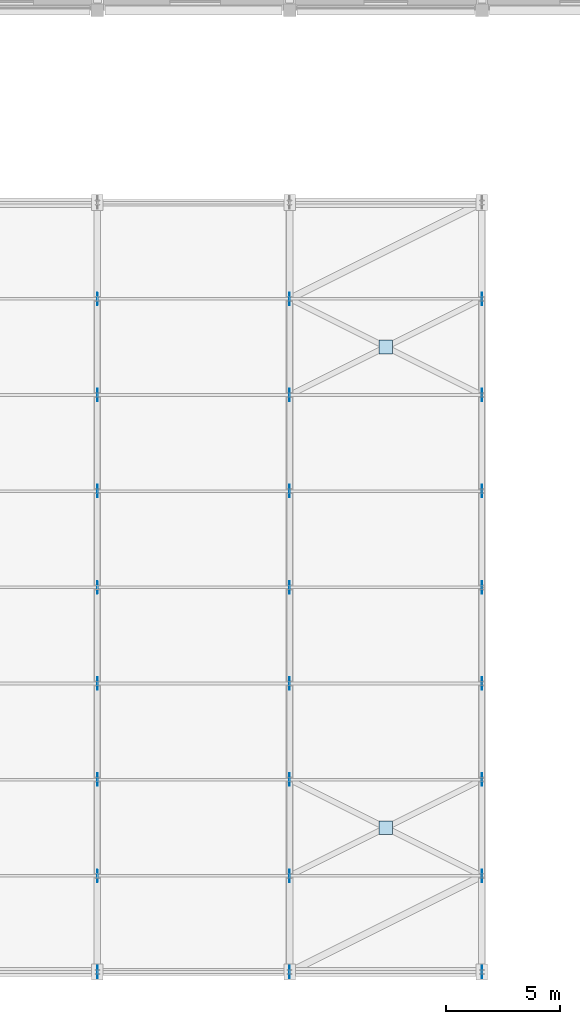
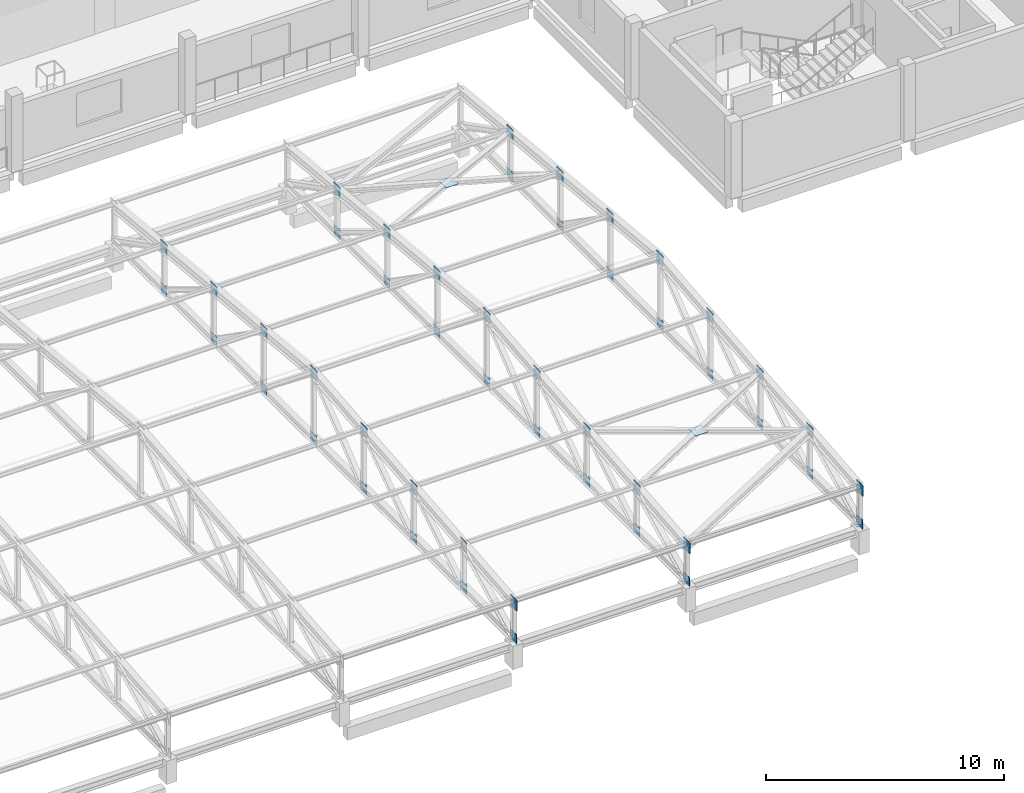
# One storey, part 56 of 74: 50 plates.
"""IFC4 building model written with IfcOpenShell, lengths in metres."""

from ifc_helpers import new_model, si_unit, derived_unit, direction, frame, origin, origin_2d, place, context, subcontext, project, spatial, rectangle, extrude, material, layer, layer_set, type_object, element, save


model = new_model("IFC4")

# Units and contexts
model_context = context("Model", 3, precision=1e-05, world=origin(), true_north=direction((0.0, 1.0)))
body_context = subcontext(model_context, "Body", "Model", "MODEL_VIEW")
ifc_project = project(units=[si_unit("LENGTHUNIT", "METRE"), si_unit("AREAUNIT", "SQUARE_METRE"), si_unit("VOLUMEUNIT", "CUBIC_METRE"), si_unit("PLANEANGLEUNIT", "RADIAN"), si_unit("MASSUNIT", "GRAM", prefix="KILO"), derived_unit("THERMALTRANSMITTANCEUNIT", [(si_unit("POWERUNIT", "WATT"), 1), (si_unit("LENGTHUNIT", "METRE"), -2), (si_unit("THERMODYNAMICTEMPERATUREUNIT", "KELVIN"), -1)])], contexts=[model_context])

# Site, building, storey
site_placement = place(None, origin())
site = spatial("IfcSite", under=ifc_project, at=site_placement, CompositionType="ELEMENT")
building_placement = place(site_placement, origin())
building = spatial("IfcBuilding", under=site, at=building_placement, Name="Elbkamm Science Centre", CompositionType="ELEMENT")
storey_placement = place(building_placement, frame((0.0, 0.0, 14.39990234375)))
storey = spatial("IfcBuildingStorey", under=building, at=storey_placement, Name="L03", CompositionType="ELEMENT", Elevation=14.39990234375)

# Plates
ifc_material = material(Name="Steel EN 10025-2 S355J2", Category="steel")
ifc_layer_1 = layer(ifc_material, 0.01611328125)
ifc_layer_set_1 = layer_set([ifc_layer_1], Name="Steel EN 10025-2 S355J2")
plate_type_1 = type_object("IfcPlateType", Name="PLT-SHEET-16", PredefinedType="SHEET", material=ifc_layer_set_1)
for number, where, z_axis, x_axis, name in (
    (1, (100.800048828125, 4.199951171875, 3.27880859375), (0.0, 0.0, 1.0), (1.0, 0.0, 0.0), "Theatre Truss 05 Top Node Gusset Plate 2"),
    (2, (100.800048828125, 16.800048828125, 4.47021484375), (0.0, 0.0, 1.0), (1.0, 0.0, 0.0), "Theatre Truss 05 Top Node Gusset Plate 5"),
    (3, (100.800048828125, 29.39990234375, 3.27880859375), (0.0, 0.0, 1.0), (1.0, 0.0, 0.0), "Theatre Truss 05 Top Node Gusset Plate 8"),
    (4, (109.199951171875, 0.0, 2.8818359375), (0.0, 0.0, 1.0), (1.0, 0.0, 0.0), "Theatre Truss 06 Top Node Gusset Plate 1"),
    (5, (109.199951171875, 12.60009765625, 4.0732421875), (0.0, 0.0, 1.0), (1.0, 0.0, 0.0), "Theatre Truss 06 Top Node Gusset Plate 4"),
    (6, (109.199951171875, 25.199951171875, 3.67626953125), (0.0, 0.0, 1.0), (1.0, 0.0, 0.0), "Theatre Truss 06 Top Node Gusset Plate 7"),
    (7, (117.60009765625, 8.39990234375, 3.67626953125), (0.0, 0.0, 1.0), (1.0, 0.0, 0.0), "Theatre Truss 07 Top Node Gusset Plate 3"),
    (8, (117.60009765625, 21.0, 4.0732421875), (0.0, 0.0, 1.0), (1.0, 0.0, 0.0), "Theatre Truss 07 Top Node Gusset Plate 6"),
):
    element("IfcPlate", number, at=place(storey_placement, frame(where, z_axis=z_axis, x_axis=x_axis)), inside=storey, type_object=plate_type_1, Name=name, PredefinedType="SHEET", context=body_context, shape_type="SweptSolid", body=[
        extrude(rectangle(XDim=0.01611328125, YDim=0.550048828125, at=origin_2d()), origin(), (0.0, 0.0, 1.0), 0.550048828125),
    ])
ifc_layer_2 = layer(ifc_material, 0.02001953125)
ifc_layer_set_2 = layer_set([ifc_layer_2], Name="Steel EN 10025-2 S355J2")
plate_type_2 = type_object("IfcPlateType", Name="PLT-SHEET-20", PredefinedType="SHEET", material=ifc_layer_set_2)
plate_1_placement = place(storey_placement, frame((100.800048828125, 4.199951171875, 1.150146484375), z_axis=(0.0, 0.0, 1.0), x_axis=(1.0, 0.0, 0.0)))
element("IfcPlate", 9, at=plate_1_placement, inside=storey, type_object=plate_type_2, Name="Theatre Truss 05 Bottom Node Gusset Plate 2", PredefinedType="SHEET", context=body_context, shape_type="SweptSolid", body=[
    extrude(rectangle(XDim=0.02001953125, YDim=0.5, at=origin_2d()), origin(), (0.0, 0.0, 1.0), 0.5),
])
plate_2_placement = place(storey_placement, frame((100.800048828125, 8.39990234375, 3.67626953125), z_axis=(0.0, 0.0, 1.0), x_axis=(1.0, 0.0, 0.0)))
element("IfcPlate", 10, at=plate_2_placement, inside=storey, type_object=plate_type_2, Name="Theatre Truss 05 Top Node Gusset Plate 3", PredefinedType="SHEET", context=body_context, shape_type="SweptSolid", body=[
    extrude(rectangle(XDim=0.02001953125, YDim=0.550048828125, at=origin_2d()), origin(), (0.0, 0.0, 1.0), 0.550048828125),
])
for number, where, z_axis, x_axis, name in (
    (11, (100.800048828125, 8.39990234375, 1.150146484375), (0.0, 0.0, 1.0), (1.0, 0.0, 0.0), "Theatre Truss 05 Bottom Node Gusset Plate 3"),
    (12, (100.800048828125, 12.60009765625, 1.150146484375), (0.0, 0.0, 1.0), (1.0, 0.0, 0.0), "Theatre Truss 05 Bottom Node Gusset Plate 4"),
    (13, (100.800048828125, 16.800048828125, 1.150146484375), (0.0, 0.0, 1.0), (1.0, 0.0, 0.0), "Theatre Truss 05 Bottom Node Gusset Plate 5"),
):
    element("IfcPlate", number, at=place(storey_placement, frame(where, z_axis=z_axis, x_axis=x_axis)), inside=storey, type_object=plate_type_2, Name=name, PredefinedType="SHEET", context=body_context, shape_type="SweptSolid", body=[
        extrude(rectangle(XDim=0.02001953125, YDim=0.5, at=origin_2d()), origin(), (0.0, 0.0, 1.0), 0.5),
    ])
plate_3_placement = place(storey_placement, frame((100.800048828125, 21.0, 4.0732421875), z_axis=(0.0, 0.0, 1.0), x_axis=(1.0, 0.0, 0.0)))
element("IfcPlate", 14, at=plate_3_placement, inside=storey, type_object=plate_type_2, Name="Theatre Truss 05 Top Node Gusset Plate 6", PredefinedType="SHEET", context=body_context, shape_type="SweptSolid", body=[
    extrude(rectangle(XDim=0.02001953125, YDim=0.550048828125, at=origin_2d()), origin(), (0.0, 0.0, 1.0), 0.550048828125),
])
for number, where, z_axis, x_axis, name in (
    (15, (100.800048828125, 21.0, 1.150146484375), (0.0, 0.0, 1.0), (1.0, 0.0, 0.0), "Theatre Truss 05 Bottom Node Gusset Plate 6"),
    (16, (100.800048828125, 25.199951171875, 1.150146484375), (0.0, 0.0, 1.0), (1.0, 0.0, 0.0), "Theatre Truss 05 Bottom Node Gusset Plate 7"),
    (17, (100.800048828125, 29.39990234375, 1.150146484375), (0.0, 0.0, 1.0), (1.0, 0.0, 0.0), "Theatre Truss 05 Bottom Node Gusset Plate 8"),
):
    element("IfcPlate", number, at=place(storey_placement, frame(where, z_axis=z_axis, x_axis=x_axis)), inside=storey, type_object=plate_type_2, Name=name, PredefinedType="SHEET", context=body_context, shape_type="SweptSolid", body=[
        extrude(rectangle(XDim=0.02001953125, YDim=0.5, at=origin_2d()), origin(), (0.0, 0.0, 1.0), 0.5),
    ])
plate_4_placement = place(storey_placement, frame((109.199951171875, 4.199951171875, 3.27880859375), z_axis=(0.0, 0.0, 1.0), x_axis=(1.0, 0.0, 0.0)))
element("IfcPlate", 18, at=plate_4_placement, inside=storey, type_object=plate_type_2, Name="Theatre Truss 06 Top Node Gusset Plate 2", PredefinedType="SHEET", context=body_context, shape_type="SweptSolid", body=[
    extrude(rectangle(XDim=0.02001953125, YDim=0.550048828125, at=origin_2d()), origin(), (0.0, 0.0, 1.0), 0.550048828125),
])
for number, where, z_axis, x_axis, name in (
    (19, (109.199951171875, 4.199951171875, 1.150146484375), (0.0, 0.0, 1.0), (1.0, 0.0, 0.0), "Theatre Truss 06 Bottom Node Gusset Plate 2"),
    (20, (109.199951171875, 8.39990234375, 1.150146484375), (0.0, 0.0, 1.0), (1.0, 0.0, 0.0), "Theatre Truss 06 Bottom Node Gusset Plate 3"),
    (21, (109.199951171875, 12.60009765625, 1.150146484375), (0.0, 0.0, 1.0), (1.0, 0.0, 0.0), "Theatre Truss 06 Bottom Node Gusset Plate 4"),
):
    element("IfcPlate", number, at=place(storey_placement, frame(where, z_axis=z_axis, x_axis=x_axis)), inside=storey, type_object=plate_type_2, Name=name, PredefinedType="SHEET", context=body_context, shape_type="SweptSolid", body=[
        extrude(rectangle(XDim=0.02001953125, YDim=0.5, at=origin_2d()), origin(), (0.0, 0.0, 1.0), 0.5),
    ])
plate_5_placement = place(storey_placement, frame((109.199951171875, 16.800048828125, 4.47021484375), z_axis=(0.0, 0.0, 1.0), x_axis=(1.0, 0.0, 0.0)))
element("IfcPlate", 22, at=plate_5_placement, inside=storey, type_object=plate_type_2, Name="Theatre Truss 06 Top Node Gusset Plate 5", PredefinedType="SHEET", context=body_context, shape_type="SweptSolid", body=[
    extrude(rectangle(XDim=0.02001953125, YDim=0.550048828125, at=origin_2d()), origin(), (0.0, 0.0, 1.0), 0.550048828125),
])
for number, where, z_axis, x_axis, name in (
    (23, (109.199951171875, 16.800048828125, 1.150146484375), (0.0, 0.0, 1.0), (1.0, 0.0, 0.0), "Theatre Truss 06 Bottom Node Gusset Plate 5"),
    (24, (109.199951171875, 21.0, 1.150146484375), (0.0, 0.0, 1.0), (1.0, 0.0, 0.0), "Theatre Truss 06 Bottom Node Gusset Plate 6"),
    (25, (109.199951171875, 25.199951171875, 1.150146484375), (0.0, 0.0, 1.0), (1.0, 0.0, 0.0), "Theatre Truss 06 Bottom Node Gusset Plate 7"),
):
    element("IfcPlate", number, at=place(storey_placement, frame(where, z_axis=z_axis, x_axis=x_axis)), inside=storey, type_object=plate_type_2, Name=name, PredefinedType="SHEET", context=body_context, shape_type="SweptSolid", body=[
        extrude(rectangle(XDim=0.02001953125, YDim=0.5, at=origin_2d()), origin(), (0.0, 0.0, 1.0), 0.5),
    ])
plate_6_placement = place(storey_placement, frame((109.199951171875, 29.39990234375, 3.27880859375), z_axis=(0.0, 0.0, 1.0), x_axis=(1.0, 0.0, 0.0)))
element("IfcPlate", 26, at=plate_6_placement, inside=storey, type_object=plate_type_2, Name="Theatre Truss 06 Top Node Gusset Plate 8", PredefinedType="SHEET", context=body_context, shape_type="SweptSolid", body=[
    extrude(rectangle(XDim=0.02001953125, YDim=0.550048828125, at=origin_2d()), origin(), (0.0, 0.0, 1.0), 0.550048828125),
])
plate_7_placement = place(storey_placement, frame((109.199951171875, 29.39990234375, 1.150146484375), z_axis=(0.0, 0.0, 1.0), x_axis=(1.0, 0.0, 0.0)))
element("IfcPlate", 27, at=plate_7_placement, inside=storey, type_object=plate_type_2, Name="Theatre Truss 06 Bottom Node Gusset Plate 8", PredefinedType="SHEET", context=body_context, shape_type="SweptSolid", body=[
    extrude(rectangle(XDim=0.02001953125, YDim=0.5, at=origin_2d()), origin(), (0.0, 0.0, 1.0), 0.5),
])
plate_8_placement = place(storey_placement, frame((117.60009765625, 0.0, 2.8818359375), z_axis=(0.0, 0.0, 1.0), x_axis=(1.0, 0.0, 0.0)))
element("IfcPlate", 28, at=plate_8_placement, inside=storey, type_object=plate_type_2, Name="Theatre Truss 07 Top Node Gusset Plate 1", PredefinedType="SHEET", context=body_context, shape_type="SweptSolid", body=[
    extrude(rectangle(XDim=0.02001953125, YDim=0.550048828125, at=origin_2d()), origin(), (0.0, 0.0, 1.0), 0.550048828125),
])
for number, where, z_axis, x_axis, name in (
    (29, (117.60009765625, 4.199951171875, 1.150146484375), (0.0, 0.0, 1.0), (1.0, 0.0, 0.0), "Theatre Truss 07 Bottom Node Gusset Plate 2"),
    (30, (117.60009765625, 8.39990234375, 1.150146484375), (0.0, 0.0, 1.0), (1.0, 0.0, 0.0), "Theatre Truss 07 Bottom Node Gusset Plate 3"),
):
    element("IfcPlate", number, at=place(storey_placement, frame(where, z_axis=z_axis, x_axis=x_axis)), inside=storey, type_object=plate_type_2, Name=name, PredefinedType="SHEET", context=body_context, shape_type="SweptSolid", body=[
        extrude(rectangle(XDim=0.02001953125, YDim=0.5, at=origin_2d()), origin(), (0.0, 0.0, 1.0), 0.5),
    ])
plate_9_placement = place(storey_placement, frame((117.60009765625, 12.60009765625, 4.0732421875), z_axis=(0.0, 0.0, 1.0), x_axis=(1.0, 0.0, 0.0)))
element("IfcPlate", 31, at=plate_9_placement, inside=storey, type_object=plate_type_2, Name="Theatre Truss 07 Top Node Gusset Plate 4", PredefinedType="SHEET", context=body_context, shape_type="SweptSolid", body=[
    extrude(rectangle(XDim=0.02001953125, YDim=0.550048828125, at=origin_2d()), origin(), (0.0, 0.0, 1.0), 0.550048828125),
])
for number, where, z_axis, x_axis, name in (
    (32, (117.60009765625, 12.60009765625, 1.150146484375), (0.0, 0.0, 1.0), (1.0, 0.0, 0.0), "Theatre Truss 07 Bottom Node Gusset Plate 4"),
    (33, (117.60009765625, 16.800048828125, 1.150146484375), (0.0, 0.0, 1.0), (1.0, 0.0, 0.0), "Theatre Truss 07 Bottom Node Gusset Plate 5"),
    (34, (117.60009765625, 21.0, 1.150146484375), (0.0, 0.0, 1.0), (1.0, 0.0, 0.0), "Theatre Truss 07 Bottom Node Gusset Plate 6"),
):
    element("IfcPlate", number, at=place(storey_placement, frame(where, z_axis=z_axis, x_axis=x_axis)), inside=storey, type_object=plate_type_2, Name=name, PredefinedType="SHEET", context=body_context, shape_type="SweptSolid", body=[
        extrude(rectangle(XDim=0.02001953125, YDim=0.5, at=origin_2d()), origin(), (0.0, 0.0, 1.0), 0.5),
    ])
plate_10_placement = place(storey_placement, frame((117.60009765625, 25.199951171875, 3.67626953125), z_axis=(0.0, 0.0, 1.0), x_axis=(1.0, 0.0, 0.0)))
element("IfcPlate", 35, at=plate_10_placement, inside=storey, type_object=plate_type_2, Name="Theatre Truss 07 Top Node Gusset Plate 7", PredefinedType="SHEET", context=body_context, shape_type="SweptSolid", body=[
    extrude(rectangle(XDim=0.02001953125, YDim=0.550048828125, at=origin_2d()), origin(), (0.0, 0.0, 1.0), 0.550048828125),
])
for number, where, z_axis, x_axis, name in (
    (36, (117.60009765625, 25.199951171875, 1.150146484375), (0.0, 0.0, 1.0), (1.0, 0.0, 0.0), "Theatre Truss 07 Bottom Node Gusset Plate 7"),
    (37, (117.60009765625, 29.39990234375, 1.150146484375), (0.0, 0.0, 1.0), (1.0, 0.0, 0.0), "Theatre Truss 07 Bottom Node Gusset Plate 8"),
):
    element("IfcPlate", number, at=place(storey_placement, frame(where, z_axis=z_axis, x_axis=x_axis)), inside=storey, type_object=plate_type_2, Name=name, PredefinedType="SHEET", context=body_context, shape_type="SweptSolid", body=[
        extrude(rectangle(XDim=0.02001953125, YDim=0.5, at=origin_2d()), origin(), (0.0, 0.0, 1.0), 0.5),
    ])
for number, where, z_axis, x_axis, name in (
    (38, (113.39990234375, 6.300048828125, 3.74267578125), (0.0, 0.0, 1.0), (1.0, 0.0, 0.0), "Theatre Roof Plan X-Brace Central Gusset Plate B6-P2"),
    (39, (113.39990234375, 27.300048828125, 3.74267578125), (0.0, 0.0, 1.0), (1.0, 0.0, 0.0), "Theatre Roof Plan X-Brace Central Gusset Plate B6-P7"),
):
    element("IfcPlate", number, at=place(storey_placement, frame(where, z_axis=z_axis, x_axis=x_axis)), inside=storey, type_object=plate_type_2, Name=name, PredefinedType="SHEET", context=body_context, shape_type="SweptSolid", body=[
        extrude(rectangle(XDim=0.60009765625, YDim=0.60009765625, at=origin_2d()), origin(), (0.0, 0.0, 1.0), 0.02001953125),
    ])
ifc_layer_3 = layer(ifc_material, 0.02392578125)
ifc_layer_set_3 = layer_set([ifc_layer_3], Name="Steel EN 10025-2 S355J2")
plate_type_3 = type_object("IfcPlateType", Name="PLT-SHEET-24", PredefinedType="SHEET", material=ifc_layer_set_3)
plate_11_placement = place(storey_placement, frame((100.800048828125, 0.0, 2.8818359375), z_axis=(0.0, 0.0, 1.0), x_axis=(1.0, 0.0, 0.0)))
element("IfcPlate", 40, at=plate_11_placement, inside=storey, type_object=plate_type_3, Name="Theatre Truss 05 Top Node Gusset Plate 1", PredefinedType="SHEET", context=body_context, shape_type="SweptSolid", body=[
    extrude(rectangle(XDim=0.02392578125, YDim=0.550048828125, at=origin_2d()), origin(), (0.0, 0.0, 1.0), 0.550048828125),
])
plate_12_placement = place(storey_placement, frame((100.800048828125, 0.0, 1.150146484375), z_axis=(0.0, 0.0, 1.0), x_axis=(1.0, 0.0, 0.0)))
element("IfcPlate", 41, at=plate_12_placement, inside=storey, type_object=plate_type_3, Name="Theatre Truss 05 Bottom Node Gusset Plate 1", PredefinedType="SHEET", context=body_context, shape_type="SweptSolid", body=[
    extrude(rectangle(XDim=0.02392578125, YDim=0.5, at=origin_2d()), origin(), (0.0, 0.0, 1.0), 0.5),
])
for number, where, z_axis, x_axis, name in (
    (42, (100.800048828125, 12.60009765625, 4.0732421875), (0.0, 0.0, 1.0), (1.0, 0.0, 0.0), "Theatre Truss 05 Top Node Gusset Plate 4"),
    (43, (100.800048828125, 25.199951171875, 3.67626953125), (0.0, 0.0, 1.0), (1.0, 0.0, 0.0), "Theatre Truss 05 Top Node Gusset Plate 7"),
):
    element("IfcPlate", number, at=place(storey_placement, frame(where, z_axis=z_axis, x_axis=x_axis)), inside=storey, type_object=plate_type_3, Name=name, PredefinedType="SHEET", context=body_context, shape_type="SweptSolid", body=[
        extrude(rectangle(XDim=0.02392578125, YDim=0.550048828125, at=origin_2d()), origin(), (0.0, 0.0, 1.0), 0.550048828125),
    ])
plate_13_placement = place(storey_placement, frame((109.199951171875, 0.0, 1.150146484375), z_axis=(0.0, 0.0, 1.0), x_axis=(1.0, 0.0, 0.0)))
element("IfcPlate", 44, at=plate_13_placement, inside=storey, type_object=plate_type_3, Name="Theatre Truss 06 Bottom Node Gusset Plate 1", PredefinedType="SHEET", context=body_context, shape_type="SweptSolid", body=[
    extrude(rectangle(XDim=0.02392578125, YDim=0.5, at=origin_2d()), origin(), (0.0, 0.0, 1.0), 0.5),
])
for number, where, z_axis, x_axis, name in (
    (45, (109.199951171875, 8.39990234375, 3.67626953125), (0.0, 0.0, 1.0), (1.0, 0.0, 0.0), "Theatre Truss 06 Top Node Gusset Plate 3"),
    (46, (109.199951171875, 21.0, 4.0732421875), (0.0, 0.0, 1.0), (1.0, 0.0, 0.0), "Theatre Truss 06 Top Node Gusset Plate 6"),
):
    element("IfcPlate", number, at=place(storey_placement, frame(where, z_axis=z_axis, x_axis=x_axis)), inside=storey, type_object=plate_type_3, Name=name, PredefinedType="SHEET", context=body_context, shape_type="SweptSolid", body=[
        extrude(rectangle(XDim=0.02392578125, YDim=0.550048828125, at=origin_2d()), origin(), (0.0, 0.0, 1.0), 0.550048828125),
    ])
plate_14_placement = place(storey_placement, frame((117.60009765625, 0.0, 1.150146484375), z_axis=(0.0, 0.0, 1.0), x_axis=(1.0, 0.0, 0.0)))
element("IfcPlate", 47, at=plate_14_placement, inside=storey, type_object=plate_type_3, Name="Theatre Truss 07 Bottom Node Gusset Plate 1", PredefinedType="SHEET", context=body_context, shape_type="SweptSolid", body=[
    extrude(rectangle(XDim=0.02392578125, YDim=0.5, at=origin_2d()), origin(), (0.0, 0.0, 1.0), 0.5),
])
for number, where, z_axis, x_axis, name in (
    (48, (117.60009765625, 4.199951171875, 3.27880859375), (0.0, 0.0, 1.0), (1.0, 0.0, 0.0), "Theatre Truss 07 Top Node Gusset Plate 2"),
    (49, (117.60009765625, 16.800048828125, 4.47021484375), (0.0, 0.0, 1.0), (1.0, 0.0, 0.0), "Theatre Truss 07 Top Node Gusset Plate 5"),
    (50, (117.60009765625, 29.39990234375, 3.27880859375), (0.0, 0.0, 1.0), (1.0, 0.0, 0.0), "Theatre Truss 07 Top Node Gusset Plate 8"),
):
    element("IfcPlate", number, at=place(storey_placement, frame(where, z_axis=z_axis, x_axis=x_axis)), inside=storey, type_object=plate_type_3, Name=name, PredefinedType="SHEET", context=body_context, shape_type="SweptSolid", body=[
        extrude(rectangle(XDim=0.02392578125, YDim=0.550048828125, at=origin_2d()), origin(), (0.0, 0.0, 1.0), 0.550048828125),
    ])

save(model, "model.ifc")
